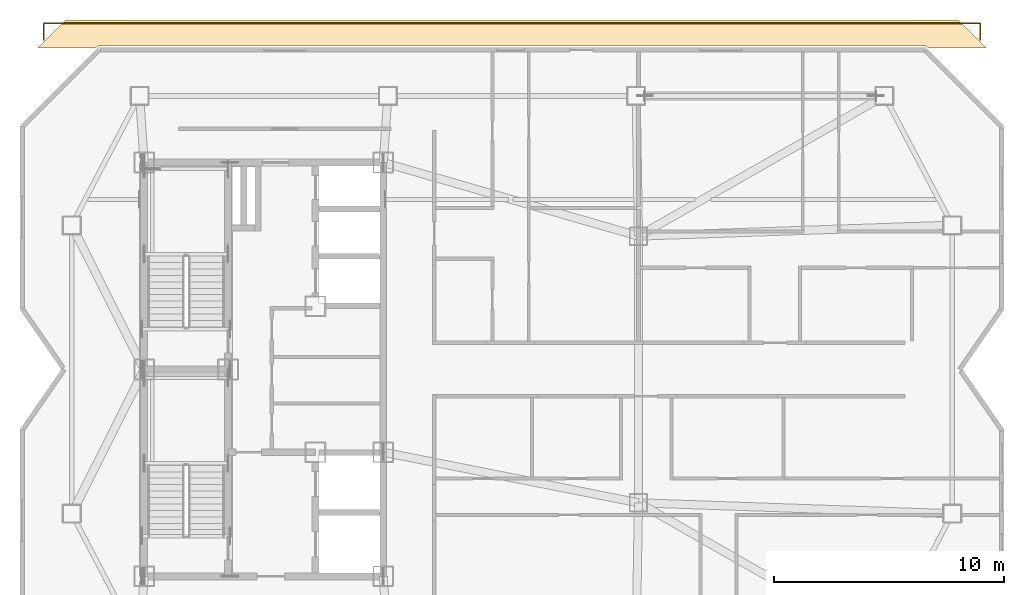
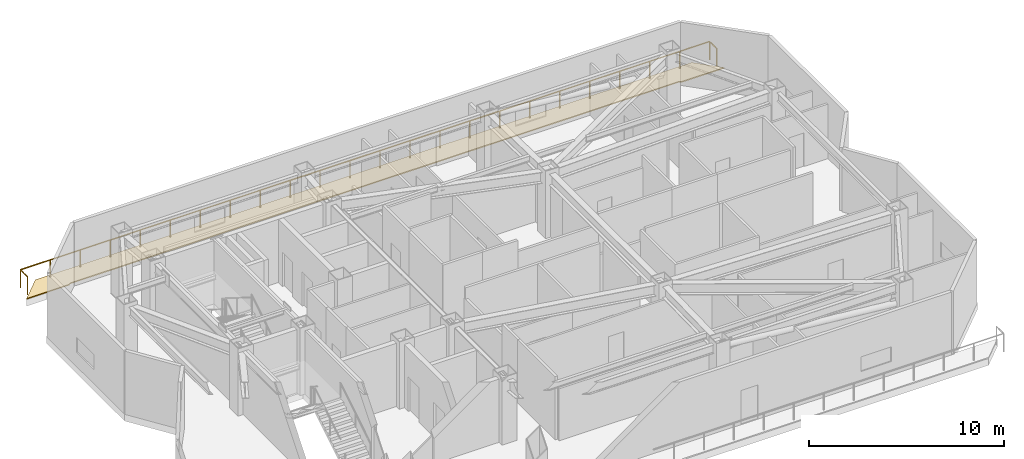
# One storey, part 11 of 11: 1 covering, 1 railing.
"""IFC4 building model written with IfcOpenShell, lengths in metres."""

import ifcopenshell
import ifcopenshell.guid

model = None  # the IFC model being written
_history = None  # IfcOwnerHistory: only IFC2X3 demands one
_inside = {}  # id of a spatial element -> (the spatial element, [elements in it])
_under = {}  # id of a project, library or spatial element -> (it, [spatial elements below it])
_declared = {}  # id of a project -> (the project, [libraries it declares])
_typed = {}  # id of a type object -> (the type object, [elements of that type])
_made_of = {}  # id of a material, layer set ... -> (it, [elements and type objects made of it])


def new_model(schema):
    """Start an empty IFC model of exactly this schema.

    Asked for "IFC4X3", IfcOpenShell would pick the latest addendum, in which some entities
    have other attributes; the version numbers below select the first issue.
    IFC2X3 requires an IfcOwnerHistory on every rooted entity: one is made here for all.
    """
    global model, _history
    if schema == "IFC4X3":
        model = ifcopenshell.file(schema_version=(4, 3, 0, 0))
    else:
        model = ifcopenshell.file(schema=schema)
    _inside.clear()
    _under.clear()
    _declared.clear()
    _typed.clear()
    _made_of.clear()
    _history = None
    if model.schema == "IFC2X3":
        org = make("IfcOrganization", Name="unknown")
        user = make(
            "IfcPersonAndOrganization",
            ThePerson=make("IfcPerson", FamilyName="unknown"),
            TheOrganization=org,
        )
        app = make(
            "IfcApplication",
            ApplicationDeveloper=org,
            Version="unknown",
            ApplicationFullName="unknown",
            ApplicationIdentifier="unknown",
        )
        _history = make(
            "IfcOwnerHistory",
            OwningUser=user,
            OwningApplication=app,
            ChangeAction="ADDED",
            CreationDate=0,
        )
    return model


def make(cls, **values):
    """One entity of the class cls with the attributes given. An attribute that is None is left unset."""
    return model.create_entity(
        cls, **{name: value for name, value in values.items() if value is not None}
    )


def rooted(cls, **values):
    """An entity with a GlobalId (a new one), such as an element, a storey or a relation."""
    return make(cls, GlobalId=ifcopenshell.guid.new(), OwnerHistory=_history, **values)


def si_unit(unit_type, name, prefix=None):
    """IfcSIUnit, for example si_unit("LENGTHUNIT", "METRE", prefix="MILLI")."""
    return make("IfcSIUnit", UnitType=unit_type, Prefix=prefix, Name=name)


def assignment(units):
    """IfcUnitAssignment: the units of a project."""
    return None if units is None else make("IfcUnitAssignment", Units=units)


def point(xyz):
    """IfcCartesianPoint."""
    return None if xyz is None else make("IfcCartesianPoint", Coordinates=xyz)


def direction(xyz):
    """IfcDirection."""
    return None if xyz is None else make("IfcDirection", DirectionRatios=xyz)


def frame(location, z_axis=None, x_axis=None):
    """IfcAxis2Placement3D, a coordinate frame: its origin and axes. An axis left out is left unset."""
    return make(
        "IfcAxis2Placement3D",
        Location=point(location),
        Axis=direction(z_axis),
        RefDirection=direction(x_axis),
    )


def frame_2d(location, x_axis=None):
    """IfcAxis2Placement2D, a coordinate frame in the plane: its origin and x axis."""
    return make(
        "IfcAxis2Placement2D", Location=point(location), RefDirection=direction(x_axis)
    )


def origin():
    """The frame at (0, 0, 0) with its axes left unset."""
    return frame((0.0, 0.0, 0.0))


def origin_2d():
    """The frame at (0, 0) in the plane with its x axis left unset."""
    return frame_2d((0.0, 0.0))


def place(relative_to, where):
    """IfcLocalPlacement: puts the frame where relative to a parent placement (None: the world)."""
    return make(
        "IfcLocalPlacement", PlacementRelTo=relative_to, RelativePlacement=where
    )


def context(
    kind, dimensions, precision=None, world=None, true_north=None, identifier=None
):
    """IfcGeometricRepresentationContext, for example the 3D "Model" context."""
    return make(
        "IfcGeometricRepresentationContext",
        ContextIdentifier=identifier,
        ContextType=kind,
        CoordinateSpaceDimension=dimensions,
        Precision=precision,
        WorldCoordinateSystem=world,
        TrueNorth=true_north,
    )


def subcontext(parent, identifier, kind, view, scale=None):
    """IfcGeometricRepresentationSubContext, for example "Body" below "Model"."""
    return make(
        "IfcGeometricRepresentationSubContext",
        ContextIdentifier=identifier,
        ContextType=kind,
        ParentContext=parent,
        TargetScale=scale,
        TargetView=view,
    )


def project(units=None, contexts=None):
    """IfcProject with its units and contexts."""
    return rooted(
        "IfcProject",
        Name="project",
        RepresentationContexts=contexts,
        UnitsInContext=assignment(units),
    )


def spatial(cls, under=None, at=None, **own):
    """A site, building, storey or space (cls), placed at a placement, below another one or the project."""
    s = rooted(cls, ObjectPlacement=at, **own)
    if under is not None:
        _under.setdefault(under.id(), (under, []))[1].append(s)
    return s


def polyline(points):
    """IfcPolyline through the points."""
    return make("IfcPolyline", Points=[point(p) for p in points])


def profile(cls, at=None, kind="AREA", **sizes):
    """A parametric profile (cls). Its sizes go by their IFC names, for example OverallWidth=200.0."""
    return make(cls, ProfileType=kind, Position=at, **sizes)


def circle(**sizes):
    """IfcCircleProfileDef."""
    return profile("IfcCircleProfileDef", **sizes)


def outline(outer, holes=None, kind="AREA"):
    """IfcArbitraryClosedProfileDef: a profile drawn as a closed curve; with holes, ...WithVoids."""
    if holes is None:
        return make("IfcArbitraryClosedProfileDef", ProfileType=kind, OuterCurve=outer)
    return make(
        "IfcArbitraryProfileDefWithVoids",
        ProfileType=kind,
        OuterCurve=outer,
        InnerCurves=holes,
    )


def extrude(swept, where, along, depth):
    """IfcExtrudedAreaSolid: the profile swept, set in the frame where, extruded along a direction by depth."""
    return make(
        "IfcExtrudedAreaSolid",
        SweptArea=swept,
        Position=where,
        ExtrudedDirection=direction(along),
        Depth=depth,
    )


def shape(context_of_items, identifier, shape_type, items):
    """IfcShapeRepresentation: the items that make up one representation, for example the "Body"."""
    return make(
        "IfcShapeRepresentation",
        ContextOfItems=context_of_items,
        RepresentationIdentifier=identifier,
        RepresentationType=shape_type,
        Items=items,
    )


def material(Name=None, Category=None):
    """IfcMaterial."""
    return make("IfcMaterial", Name=Name, Category=Category)


def layer(
    of_material, thickness, ventilated=None, Name=None, Category=None, Priority=None
):
    """IfcMaterialLayer: one layer of a wall or slab, of a material (None: an air gap)."""
    return make(
        "IfcMaterialLayer",
        Material=of_material,
        LayerThickness=thickness,
        IsVentilated=ventilated,
        Name=Name,
        Category=Category,
        Priority=Priority,
    )


def layer_set(layers, Name=None):
    """IfcMaterialLayerSet."""
    return make("IfcMaterialLayerSet", MaterialLayers=layers, LayerSetName=Name)


def made_of(thing, what):
    """Note that an element or type object is made of a material, layer set ...; save() writes the relation."""
    if what is not None:
        _made_of.setdefault(what.id(), (what, []))[1].append(thing)
    return thing


def type_object(cls, material=None, **own):
    """A type object (cls), such as IfcWallType, which elements share."""
    return made_of(rooted(cls, **own), material)


def element(
    cls,
    number,
    at=None,
    inside=None,
    cuts=None,
    type_object=None,
    material=None,
    context=None,
    identifier="Body",
    shape_type=None,
    held_by="IfcProductDefinitionShape",
    body=None,
    shapes=None,
    **own,
):
    """One element of the class cls, such as IfcWall. Its Tag is "e" and its number.

    at: its placement. inside: the storey or other place that contains it. cuts: it is an
    opening in that element (IfcRelVoidsElement). A single representation is given by context,
    identifier, shape_type and body (its items); several are given by shapes. held_by: the class
    of the entity that holds the representations. save() writes the other relations.
    """
    e = rooted(cls, Tag="e%d" % number, ObjectPlacement=at, **own)
    if body is not None:
        shapes = [shape(context, identifier, shape_type, body)]
    if shapes is not None:
        e.Representation = make(held_by, Representations=shapes)
    if inside is not None:
        _inside.setdefault(inside.id(), (inside, []))[1].append(e)
    if cuts is not None:
        rooted(
            "IfcRelVoidsElement", RelatingBuildingElement=cuts, RelatedOpeningElement=e
        )
    if type_object is not None:
        _typed.setdefault(type_object.id(), (type_object, []))[1].append(e)
    return made_of(e, material)


def aggregate(whole, parts):
    """IfcRelAggregates: a whole, such as a stair, and the parts it consists of."""
    return rooted("IfcRelAggregates", RelatingObject=whole, RelatedObjects=parts)


def save(model, path):
    """Write the relations noted so far, then the file.

    IfcRelAggregates (storeys below a building ...), IfcRelContainedInSpatialStructure (elements
    in a storey), IfcRelDefinesByType, IfcRelAssociatesMaterial and IfcRelDeclares: one each for
    every whole, place, type object, material and project.
    """
    for whole, parts in _under.values():
        aggregate(whole, parts)
    for where, things in _inside.values():
        rooted(
            "IfcRelContainedInSpatialStructure",
            RelatedElements=things,
            RelatingStructure=where,
        )
    for kind, things in _typed.values():
        rooted("IfcRelDefinesByType", RelatedObjects=things, RelatingType=kind)
    for what, things in _made_of.values():
        rooted("IfcRelAssociatesMaterial", RelatedObjects=things, RelatingMaterial=what)
    for by, libraries in _declared.values():
        rooted("IfcRelDeclares", RelatingContext=by, RelatedDefinitions=libraries)
    model.write(path)


model = new_model("IFC4")

# Units and contexts
model_context = context("Model", 3, precision=1e-05, world=origin(), true_north=direction((0.0, 1.0)))
body_context = subcontext(model_context, "Body", "Model", "MODEL_VIEW")
ifc_project = project(units=[si_unit("LENGTHUNIT", "METRE"), si_unit("AREAUNIT", "SQUARE_METRE"), si_unit("VOLUMEUNIT", "CUBIC_METRE"), si_unit("PLANEANGLEUNIT", "RADIAN"), si_unit("MASSUNIT", "GRAM", prefix="KILO")], contexts=[model_context])

# Site, building, storey
site_placement = place(None, origin())
site = spatial("IfcSite", under=ifc_project, at=site_placement, CompositionType="ELEMENT")
building_placement = place(site_placement, origin())
building = spatial("IfcBuilding", under=site, at=building_placement, Name="Khamvora Tower", CompositionType="ELEMENT")
storey_placement = place(building_placement, frame((0.0, 0.0, 277.85009765625)))
storey = spatial("IfcBuildingStorey", under=building, at=storey_placement, Name="L71", CompositionType="ELEMENT", Elevation=277.85009765625)

# Covering
ifc_material_1 = material(Name="Insulated Elastomeric Roof Waterproofing System", Category="membrane")
ifc_layer = layer(ifc_material_1, 0.0849609375)
ifc_layer_set = layer_set([ifc_layer], Name="Insulated Elastomeric Roof Waterproofing System")
covering_type = type_object("IfcCoveringType", Name="COV-ROOF-MEM", PredefinedType="ROOFING", material=ifc_layer_set)
covering_placement = place(storey_placement, origin())
element("IfcCovering", 1, at=covering_placement, inside=storey, type_object=covering_type, Name="L71 terrace waterproofing paving 2", PredefinedType="ROOFING", context=body_context, shape_type="SweptSolid", body=[
    extrude(outline(polyline([(25.60009765625, 43.199951171875), (64.39990234375, 43.199951171875), (65.6201171875, 41.97998046875), (63.10498046875, 41.97998046875), (63.0419921875, 42.0419921875), (63.0380859375, 42.0458984375), (63.032958984375, 42.050048828125), (63.028076171875, 42.052978515625), (63.02294921875, 42.054931640625), (63.01708984375, 42.056884765625), (63.011962890625, 42.05908203125), (63.006103515625, 42.06005859375), (63.0, 42.06005859375), (27.0, 42.06005859375), (26.993896484375, 42.06005859375), (26.988037109375, 42.05908203125), (26.98291015625, 42.056884765625), (26.97705078125, 42.054931640625), (26.971923828125, 42.052978515625), (26.967041015625, 42.050048828125), (26.9619140625, 42.0458984375), (26.9580078125, 42.0419921875), (26.89501953125, 41.97998046875), (24.3798828125, 41.97998046875), (25.60009765625, 43.199951171875)])), origin(), (0.0, 0.0, 1.0), 0.06494140625),
])

# Railing
ifc_material_2 = material(Name="Laminated Structural Safety Glass and Stainless Steel", Category="steel")
railing_type = type_object("IfcRailingType", Name="RAL-POOL-1150", PredefinedType="BALUSTRADE", material=ifc_material_2)
railing_placement = place(storey_placement, frame((24.6298828125, 42.330078125, 0.0)))
element("IfcRailing", 2, at=railing_placement, inside=storey, type_object=railing_type, Name="L71 stepped roof terrace balustrade 2", PredefinedType="BALUSTRADE", context=body_context, shape_type="SweptSolid", body=[
    extrude(circle(Radius=0.02392578125, at=origin_2d()), frame((0.0, 0.0, 1.1259765625), z_axis=(0.0, 1.0, 0.0), x_axis=(-1.0, 0.0, 0.0)), (0.0, 0.0, 1.0), 0.719970703125),
    extrude(circle(Radius=0.02392578125, at=origin_2d()), frame((0.0, 0.719970703125, 1.1259765625), z_axis=(1.0, 0.0, 0.0), x_axis=(0.0, 1.0, 0.0)), (0.0, 0.0, 1.0), 40.740234375),
    extrude(circle(Radius=0.02392578125, at=origin_2d()), frame((40.740234375, 0.719970703125, 1.1259765625), z_axis=(0.0, -1.0, 0.0), x_axis=(1.0, 0.0, 0.0)), (0.0, 0.0, 1.0), 0.719970703125),
    extrude(circle(Radius=0.02099609375, at=origin_2d()), origin(), (0.0, 0.0, 1.0), 1.101806640625),
    extrude(circle(Radius=0.02099609375, at=origin_2d()), frame((0.0, 0.719970703125, 0.0)), (0.0, 0.0, 1.0), 1.101806640625),
    extrude(circle(Radius=0.02099609375, at=origin_2d()), frame((1.771240234375, 0.719970703125, 0.0)), (0.0, 0.0, 1.0), 1.101806640625),
    extrude(circle(Radius=0.02099609375, at=origin_2d()), frame((3.542724609375, 0.719970703125, 0.0)), (0.0, 0.0, 1.0), 1.101806640625),
    extrude(circle(Radius=0.02099609375, at=origin_2d()), frame((5.31396484375, 0.719970703125, 0.0)), (0.0, 0.0, 1.0), 1.101806640625),
    extrude(circle(Radius=0.02099609375, at=origin_2d()), frame((7.085205078125, 0.719970703125, 0.0)), (0.0, 0.0, 1.0), 1.101806640625),
    extrude(circle(Radius=0.02099609375, at=origin_2d()), frame((8.856689453125, 0.719970703125, 0.0)), (0.0, 0.0, 1.0), 1.101806640625),
    extrude(circle(Radius=0.02099609375, at=origin_2d()), frame((10.6279296875, 0.719970703125, 0.0)), (0.0, 0.0, 1.0), 1.101806640625),
    extrude(circle(Radius=0.02099609375, at=origin_2d()), frame((12.399169921875, 0.719970703125, 0.0)), (0.0, 0.0, 1.0), 1.101806640625),
    extrude(circle(Radius=0.02099609375, at=origin_2d()), frame((14.17041015625, 0.719970703125, 0.0)), (0.0, 0.0, 1.0), 1.101806640625),
    extrude(circle(Radius=0.02099609375, at=origin_2d()), frame((15.94189453125, 0.719970703125, 0.0)), (0.0, 0.0, 1.0), 1.101806640625),
    extrude(circle(Radius=0.02099609375, at=origin_2d()), frame((17.713134765625, 0.719970703125, 0.0)), (0.0, 0.0, 1.0), 1.101806640625),
    extrude(circle(Radius=0.02099609375, at=origin_2d()), frame((19.484375, 0.719970703125, 0.0)), (0.0, 0.0, 1.0), 1.101806640625),
    extrude(circle(Radius=0.02099609375, at=origin_2d()), frame((21.255859375, 0.719970703125, 0.0)), (0.0, 0.0, 1.0), 1.101806640625),
    extrude(circle(Radius=0.02099609375, at=origin_2d()), frame((23.027099609375, 0.719970703125, 0.0)), (0.0, 0.0, 1.0), 1.101806640625),
    extrude(circle(Radius=0.02099609375, at=origin_2d()), frame((24.79833984375, 0.719970703125, 0.0)), (0.0, 0.0, 1.0), 1.101806640625),
    extrude(circle(Radius=0.02099609375, at=origin_2d()), frame((26.56982421875, 0.719970703125, 0.0)), (0.0, 0.0, 1.0), 1.101806640625),
    extrude(circle(Radius=0.02099609375, at=origin_2d()), frame((28.341064453125, 0.719970703125, 0.0)), (0.0, 0.0, 1.0), 1.101806640625),
    extrude(circle(Radius=0.02099609375, at=origin_2d()), frame((30.1123046875, 0.719970703125, 0.0)), (0.0, 0.0, 1.0), 1.101806640625),
    extrude(circle(Radius=0.02099609375, at=origin_2d()), frame((31.883544921875, 0.719970703125, 0.0)), (0.0, 0.0, 1.0), 1.101806640625),
    extrude(circle(Radius=0.02099609375, at=origin_2d()), frame((33.655029296875, 0.719970703125, 0.0)), (0.0, 0.0, 1.0), 1.101806640625),
    extrude(circle(Radius=0.02099609375, at=origin_2d()), frame((35.42626953125, 0.719970703125, 0.0)), (0.0, 0.0, 1.0), 1.101806640625),
    extrude(circle(Radius=0.02099609375, at=origin_2d()), frame((37.197509765625, 0.719970703125, 0.0)), (0.0, 0.0, 1.0), 1.101806640625),
    extrude(circle(Radius=0.02099609375, at=origin_2d()), frame((38.968994140625, 0.719970703125, 0.0)), (0.0, 0.0, 1.0), 1.101806640625),
    extrude(circle(Radius=0.02099609375, at=origin_2d()), frame((40.740234375, 0.719970703125, 0.0)), (0.0, 0.0, 1.0), 1.101806640625),
    extrude(circle(Radius=0.02099609375, at=origin_2d()), frame((40.740234375, 0.0, 0.0)), (0.0, 0.0, 1.0), 1.101806640625),
])

save(model, "model.ifc")
